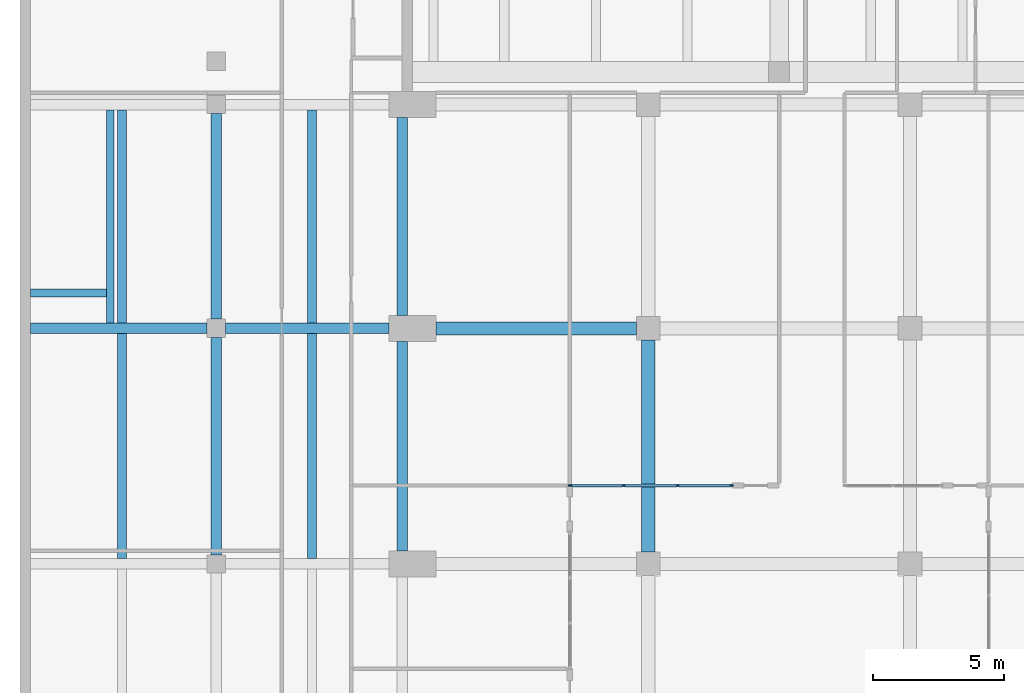
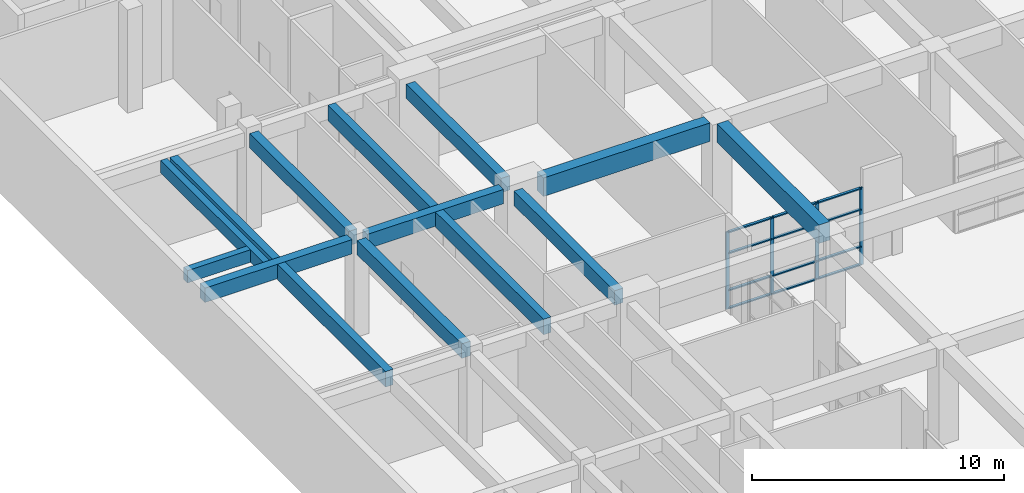
# One storey, part 10 of 29: 16 members, 14 beams, 1 element without a shape of its own.
"""IFC4 building model written with IfcOpenShell, lengths in metres."""

from ifc_helpers import new_model, si_unit, direction, frame, origin, origin_2d, place, context, subcontext, project, spatial, rectangle, extrude, material, material_profile, profile_set, type_object, element, aggregate, save


model = new_model("IFC4")

# Units and contexts
model_context = context("Model", 3, precision=1e-05, world=origin(), true_north=direction((0.0, 1.0)))
body_context = subcontext(model_context, "Body", "Model", "MODEL_VIEW")
ifc_project = project(units=[si_unit("LENGTHUNIT", "METRE"), si_unit("AREAUNIT", "SQUARE_METRE"), si_unit("VOLUMEUNIT", "CUBIC_METRE"), si_unit("PLANEANGLEUNIT", "RADIAN"), si_unit("MASSUNIT", "GRAM", prefix="KILO")], contexts=[model_context])

# Site, building, storey
site_placement = place(None, origin())
site = spatial("IfcSite", under=ifc_project, at=site_placement, CompositionType="ELEMENT")
building_placement = place(site_placement, origin())
building = spatial("IfcBuilding", under=site, at=building_placement, Name="Elmora Arch Market Hall", CompositionType="ELEMENT")
storey_placement = place(building_placement, frame((0.0, 0.0, -5.0)))
storey = spatial("IfcBuildingStorey", under=building, at=storey_placement, Name="LG", CompositionType="ELEMENT", Elevation=-5.0)

# Beams
ifc_material_1 = material(Name="Concrete C32/40", Category="concrete")
ifc_material_profile_1 = material_profile(ifc_material_1, rectangle(XDim=0.5, YDim=0.89990234375, at=origin_2d()), Name="Basement girder 500x900")
ifc_profile_set_1 = profile_set([ifc_material_profile_1], Name="Concrete C32/40")
beam_type_1 = type_object("IfcBeamType", Name="Basement girder 500x900", PredefinedType="BEAM", material=ifc_profile_set_1)
beam_1_placement = place(storey_placement, frame((15.89990234375, 90.0, 4.199951171875), z_axis=(1.0, 0.0, 0.0), x_axis=(0.0, 1.0, 0.0)))
element("IfcBeam", 1, at=beam_1_placement, inside=storey, type_object=beam_type_1, Name="Basement girder HR8 LG.1", PredefinedType="BEAM", context=body_context, shape_type="SweptSolid", body=[
    extrude(rectangle(XDim=0.5, YDim=0.89990234375, at=origin_2d()), origin(), (0.0, 0.0, 1.0), 7.650146484375),
])
beam_2_placement = place(storey_placement, frame((24.0, 81.449951171875, 4.199951171875), z_axis=(0.0, 1.0, 0.0), x_axis=(-1.0, 0.0, 0.0)))
element("IfcBeam", 2, at=beam_2_placement, inside=storey, type_object=beam_type_1, Name="Basement girder HC1 LG.7", PredefinedType="BEAM", context=body_context, shape_type="SweptSolid", body=[
    extrude(rectangle(XDim=0.5, YDim=0.89990234375, at=origin_2d()), origin(), (0.0, 0.0, 1.0), 8.10009765625),
])

# Curtain wall, members
ifc_material_2 = material(Name="Aluminium", Category="aluminium")
curtain_wall_type = type_object("IfcCurtainWallType", Name="Lower ground shopfront curtain wall", PredefinedType="NOTDEFINED", material=ifc_material_2)
curtain_wall_placement = place(storey_placement, origin())
curtain_wall = element("IfcCurtainWall", 3, at=curtain_wall_placement, inside=storey, type_object=curtain_wall_type, Name="Lower ground shopfront N1", PredefinedType="NOTDEFINED")
ifc_material_3 = material(Name="Aluminium", Category="aluminium")
ifc_material_profile_2 = material_profile(ifc_material_3, rectangle(XDim=0.06005859375, YDim=0.159912109375, at=origin_2d()), Name="AL 60x160")
ifc_profile_set_2 = profile_set([ifc_material_profile_2], Name="Aluminium")
member_type_1 = type_object("IfcMemberType", Name="Mullion 60x160", PredefinedType="MULLION", material=ifc_profile_set_2)
member_1_placement = place(storey_placement, frame((21.030029296875, 84.0, 0.0), z_axis=(0.0, 0.0, 1.0), x_axis=(0.0, 1.0, 0.0)))
member_1 = element("IfcMember", 4, at=member_1_placement, type_object=member_type_1, Name="CW6 mullion 1", PredefinedType="MULLION", context=body_context, shape_type="SweptSolid", body=[
    extrude(rectangle(XDim=0.06005859375, YDim=0.159912109375, at=origin_2d()), origin(), (0.0, 0.0, 1.0), 3.75),
])
member_2_placement = place(storey_placement, frame((23.066650390625, 84.0, 0.0), z_axis=(0.0, 0.0, 1.0), x_axis=(0.0, 1.0, 0.0)))
member_2 = element("IfcMember", 5, at=member_2_placement, type_object=member_type_1, Name="CW6 mullion 2", PredefinedType="MULLION", context=body_context, shape_type="SweptSolid", body=[
    extrude(rectangle(XDim=0.06005859375, YDim=0.159912109375, at=origin_2d()), origin(), (0.0, 0.0, 1.0), 3.75),
])
member_3_placement = place(storey_placement, frame((25.13330078125, 84.0, 0.0), z_axis=(0.0, 0.0, 1.0), x_axis=(0.0, 1.0, 0.0)))
member_3 = element("IfcMember", 6, at=member_3_placement, type_object=member_type_1, Name="CW6 mullion 3", PredefinedType="MULLION", context=body_context, shape_type="SweptSolid", body=[
    extrude(rectangle(XDim=0.06005859375, YDim=0.159912109375, at=origin_2d()), origin(), (0.0, 0.0, 1.0), 3.75),
])
member_4_placement = place(storey_placement, frame((27.169921875, 84.0, 0.0), z_axis=(0.0, 0.0, 1.0), x_axis=(0.0, 1.0, 0.0)))
member_4 = element("IfcMember", 7, at=member_4_placement, type_object=member_type_1, Name="CW6 mullion 4", PredefinedType="MULLION", context=body_context, shape_type="SweptSolid", body=[
    extrude(rectangle(XDim=0.06005859375, YDim=0.159912109375, at=origin_2d()), origin(), (0.0, 0.0, 1.0), 3.75),
])
ifc_material_4 = material(Name="Aluminium", Category="aluminium")
ifc_material_profile_3 = material_profile(ifc_material_4, rectangle(XDim=0.1201171875, YDim=0.06005859375, at=origin_2d()), Name="AL 120x60")
ifc_profile_set_3 = profile_set([ifc_material_profile_3], Name="Aluminium")
member_type_2 = type_object("IfcMemberType", Name="Transom 120x60", PredefinedType="USERDEFINED", material=ifc_profile_set_3)
member_5_placement = place(storey_placement, frame((21.06005859375, 84.0, 0.030029296875), z_axis=(1.0, 0.0, 0.0), x_axis=(0.0, 1.0, 0.0)))
member_5 = element("IfcMember", 8, at=member_5_placement, type_object=member_type_2, Name="CW6 transom 1.1", ObjectType="TRANSOM", PredefinedType="USERDEFINED", context=body_context, shape_type="SweptSolid", body=[
    extrude(rectangle(XDim=0.1201171875, YDim=0.06005859375, at=origin_2d()), origin(), (0.0, 0.0, 1.0), 1.9765625),
])
member_6_placement = place(storey_placement, frame((21.06005859375, 84.0, 0.89990234375), z_axis=(1.0, 0.0, 0.0), x_axis=(0.0, 1.0, 0.0)))
member_6 = element("IfcMember", 9, at=member_6_placement, type_object=member_type_2, Name="CW6 transom 1.2", ObjectType="TRANSOM", PredefinedType="USERDEFINED", context=body_context, shape_type="SweptSolid", body=[
    extrude(rectangle(XDim=0.1201171875, YDim=0.06005859375, at=origin_2d()), origin(), (0.0, 0.0, 1.0), 1.9765625),
])
member_7_placement = place(storey_placement, frame((21.06005859375, 84.0, 2.699951171875), z_axis=(1.0, 0.0, 0.0), x_axis=(0.0, 1.0, 0.0)))
member_7 = element("IfcMember", 10, at=member_7_placement, type_object=member_type_2, Name="CW6 transom 1.3", ObjectType="TRANSOM", PredefinedType="USERDEFINED", context=body_context, shape_type="SweptSolid", body=[
    extrude(rectangle(XDim=0.1201171875, YDim=0.06005859375, at=origin_2d()), origin(), (0.0, 0.0, 1.0), 1.9765625),
])
member_8_placement = place(storey_placement, frame((21.06005859375, 84.0, 3.719970703125), z_axis=(1.0, 0.0, 0.0), x_axis=(0.0, 1.0, 0.0)))
member_8 = element("IfcMember", 11, at=member_8_placement, type_object=member_type_2, Name="CW6 transom 1.4", ObjectType="TRANSOM", PredefinedType="USERDEFINED", context=body_context, shape_type="SweptSolid", body=[
    extrude(rectangle(XDim=0.1201171875, YDim=0.06005859375, at=origin_2d()), origin(), (0.0, 0.0, 1.0), 1.9765625),
])
member_9_placement = place(storey_placement, frame((23.0966796875, 84.0, 0.030029296875), z_axis=(1.0, 0.0, 0.0), x_axis=(0.0, 1.0, 0.0)))
member_9 = element("IfcMember", 12, at=member_9_placement, type_object=member_type_2, Name="CW6 transom 2.1", ObjectType="TRANSOM", PredefinedType="USERDEFINED", context=body_context, shape_type="SweptSolid", body=[
    extrude(rectangle(XDim=0.1201171875, YDim=0.06005859375, at=origin_2d()), origin(), (0.0, 0.0, 1.0), 2.006591796875),
])
member_10_placement = place(storey_placement, frame((23.0966796875, 84.0, 0.89990234375), z_axis=(1.0, 0.0, 0.0), x_axis=(0.0, 1.0, 0.0)))
member_10 = element("IfcMember", 13, at=member_10_placement, type_object=member_type_2, Name="CW6 transom 2.2", ObjectType="TRANSOM", PredefinedType="USERDEFINED", context=body_context, shape_type="SweptSolid", body=[
    extrude(rectangle(XDim=0.1201171875, YDim=0.06005859375, at=origin_2d()), origin(), (0.0, 0.0, 1.0), 2.006591796875),
])
member_11_placement = place(storey_placement, frame((23.0966796875, 84.0, 2.699951171875), z_axis=(1.0, 0.0, 0.0), x_axis=(0.0, 1.0, 0.0)))
member_11 = element("IfcMember", 14, at=member_11_placement, type_object=member_type_2, Name="CW6 transom 2.3", ObjectType="TRANSOM", PredefinedType="USERDEFINED", context=body_context, shape_type="SweptSolid", body=[
    extrude(rectangle(XDim=0.1201171875, YDim=0.06005859375, at=origin_2d()), origin(), (0.0, 0.0, 1.0), 2.006591796875),
])
member_12_placement = place(storey_placement, frame((23.0966796875, 84.0, 3.719970703125), z_axis=(1.0, 0.0, 0.0), x_axis=(0.0, 1.0, 0.0)))
member_12 = element("IfcMember", 15, at=member_12_placement, type_object=member_type_2, Name="CW6 transom 2.4", ObjectType="TRANSOM", PredefinedType="USERDEFINED", context=body_context, shape_type="SweptSolid", body=[
    extrude(rectangle(XDim=0.1201171875, YDim=0.06005859375, at=origin_2d()), origin(), (0.0, 0.0, 1.0), 2.006591796875),
])
member_13_placement = place(storey_placement, frame((25.163330078125, 84.0, 0.030029296875), z_axis=(1.0, 0.0, 0.0), x_axis=(0.0, 1.0, 0.0)))
member_13 = element("IfcMember", 16, at=member_13_placement, type_object=member_type_2, Name="CW6 transom 3.1", ObjectType="TRANSOM", PredefinedType="USERDEFINED", context=body_context, shape_type="SweptSolid", body=[
    extrude(rectangle(XDim=0.1201171875, YDim=0.06005859375, at=origin_2d()), origin(), (0.0, 0.0, 1.0), 1.9765625),
])
member_14_placement = place(storey_placement, frame((25.163330078125, 84.0, 0.89990234375), z_axis=(1.0, 0.0, 0.0), x_axis=(0.0, 1.0, 0.0)))
member_14 = element("IfcMember", 17, at=member_14_placement, type_object=member_type_2, Name="CW6 transom 3.2", ObjectType="TRANSOM", PredefinedType="USERDEFINED", context=body_context, shape_type="SweptSolid", body=[
    extrude(rectangle(XDim=0.1201171875, YDim=0.06005859375, at=origin_2d()), origin(), (0.0, 0.0, 1.0), 1.9765625),
])
member_15_placement = place(storey_placement, frame((25.163330078125, 84.0, 2.699951171875), z_axis=(1.0, 0.0, 0.0), x_axis=(0.0, 1.0, 0.0)))
member_15 = element("IfcMember", 18, at=member_15_placement, type_object=member_type_2, Name="CW6 transom 3.3", ObjectType="TRANSOM", PredefinedType="USERDEFINED", context=body_context, shape_type="SweptSolid", body=[
    extrude(rectangle(XDim=0.1201171875, YDim=0.06005859375, at=origin_2d()), origin(), (0.0, 0.0, 1.0), 1.9765625),
])
member_16_placement = place(storey_placement, frame((25.163330078125, 84.0, 3.719970703125), z_axis=(1.0, 0.0, 0.0), x_axis=(0.0, 1.0, 0.0)))
member_16 = element("IfcMember", 19, at=member_16_placement, type_object=member_type_2, Name="CW6 transom 3.4", ObjectType="TRANSOM", PredefinedType="USERDEFINED", context=body_context, shape_type="SweptSolid", body=[
    extrude(rectangle(XDim=0.1201171875, YDim=0.06005859375, at=origin_2d()), origin(), (0.0, 0.0, 1.0), 1.9765625),
])
aggregate(curtain_wall, [member_1, member_2, member_3, member_4, member_5, member_6, member_7, member_8, member_9, member_10, member_11, member_12, member_13, member_14, member_15, member_16])

# Beams
ifc_material_5 = material(Name="Concrete C32/40", Category="concrete")
ifc_material_profile_4 = material_profile(ifc_material_5, rectangle(XDim=0.300048828125, YDim=0.60009765625, at=origin_2d()), Name="Wall carrier beam 300x600")
ifc_profile_set_4 = profile_set([ifc_material_profile_4], Name="Concrete C32/40")
beam_type_2 = type_object("IfcBeamType", Name="Wall carrier beam 300x600", PredefinedType="BEAM", material=ifc_profile_set_4)
beam_3_placement = place(storey_placement, frame((3.449951171875, 90.199951171875, 4.39990234375), z_axis=(0.0, 1.0, 0.0), x_axis=(-1.0, 0.0, 0.0)))
element("IfcBeam", 20, at=beam_3_placement, inside=storey, type_object=beam_type_2, Name="Wall carrier beam WC-ST-WN-E-L00 LG.1", PredefinedType="BEAM", context=body_context, shape_type="SweptSolid", body=[
    extrude(rectangle(XDim=0.300048828125, YDim=0.60009765625, at=origin_2d()), origin(), (0.0, 0.0, 1.0), 8.150146484375),
])
beam_4_placement = place(storey_placement, frame((0.39990234375, 91.35009765625, 4.39990234375), z_axis=(1.0, 0.0, 0.0), x_axis=(0.0, 1.0, 0.0)))
element("IfcBeam", 21, at=beam_4_placement, inside=storey, type_object=beam_type_2, Name="Wall carrier beam WC-ST-WN-S-L00 LG.1", PredefinedType="BEAM", context=body_context, shape_type="SweptSolid", body=[
    extrude(rectangle(XDim=0.300048828125, YDim=0.60009765625, at=origin_2d()), origin(), (0.0, 0.0, 1.0), 2.900146484375),
])
ifc_material_6 = material(Name="Concrete C32/40", Category="concrete")
ifc_material_profile_5 = material_profile(ifc_material_6, rectangle(XDim=0.39990234375, YDim=0.699951171875, at=origin_2d()), Name="Wing beam 400x700")
ifc_profile_set_5 = profile_set([ifc_material_profile_5], Name="Concrete C32/40")
beam_type_3 = type_object("IfcBeamType", Name="Wing beam 400x700", PredefinedType="BEAM", material=ifc_profile_set_5)
beam_5_placement = place(storey_placement, frame((0.39990234375, 90.0, 4.35009765625), z_axis=(1.0, 0.0, 0.0), x_axis=(0.0, 1.0, 0.0)))
element("IfcBeam", 22, at=beam_5_placement, inside=storey, type_object=beam_type_3, Name="Wing beam WR8 LG.1", PredefinedType="BEAM", context=body_context, shape_type="SweptSolid", body=[
    extrude(rectangle(XDim=0.39990234375, YDim=0.699951171875, at=origin_2d()), origin(), (0.0, 0.0, 1.0), 6.75),
])
beam_6_placement = place(storey_placement, frame((7.85009765625, 90.0, 4.35009765625), z_axis=(1.0, 0.0, 0.0), x_axis=(0.0, 1.0, 0.0)))
element("IfcBeam", 23, at=beam_6_placement, inside=storey, type_object=beam_type_3, Name="Wing beam WR8 LG.2", PredefinedType="BEAM", context=body_context, shape_type="SweptSolid", body=[
    extrude(rectangle(XDim=0.39990234375, YDim=0.699951171875, at=origin_2d()), origin(), (0.0, 0.0, 1.0), 6.25),
])
beam_7_placement = place(storey_placement, frame((7.5, 81.35009765625, 4.35009765625), z_axis=(0.0, 1.0, 0.0), x_axis=(-1.0, 0.0, 0.0)))
element("IfcBeam", 24, at=beam_7_placement, inside=storey, type_object=beam_type_3, Name="Wing beam WG LG.7", PredefinedType="BEAM", context=body_context, shape_type="SweptSolid", body=[
    extrude(rectangle(XDim=0.39990234375, YDim=0.699951171875, at=origin_2d()), origin(), (0.0, 0.0, 1.0), 8.2998046875),
])
beam_8_placement = place(storey_placement, frame((7.5, 90.35009765625, 4.35009765625), z_axis=(0.0, 1.0, 0.0), x_axis=(-1.0, 0.0, 0.0)))
element("IfcBeam", 25, at=beam_8_placement, inside=storey, type_object=beam_type_3, Name="Wing beam WG LG.8", PredefinedType="BEAM", context=body_context, shape_type="SweptSolid", body=[
    extrude(rectangle(XDim=0.39990234375, YDim=0.699951171875, at=origin_2d()), origin(), (0.0, 0.0, 1.0), 7.849853515625),
])
beam_9_placement = place(storey_placement, frame((14.60009765625, 81.5, 4.35009765625), z_axis=(0.0, 1.0, 0.0), x_axis=(-1.0, 0.0, 0.0)))
element("IfcBeam", 26, at=beam_9_placement, inside=storey, type_object=beam_type_3, Name="Wing beam WEB LG.7", PredefinedType="BEAM", context=body_context, shape_type="SweptSolid", body=[
    extrude(rectangle(XDim=0.39990234375, YDim=0.699951171875, at=origin_2d()), origin(), (0.0, 0.0, 1.0), 8.0),
])
beam_10_placement = place(storey_placement, frame((14.60009765625, 90.5, 4.35009765625), z_axis=(0.0, 1.0, 0.0), x_axis=(-1.0, 0.0, 0.0)))
element("IfcBeam", 27, at=beam_10_placement, inside=storey, type_object=beam_type_3, Name="Wing beam WEB LG.8", PredefinedType="BEAM", context=body_context, shape_type="SweptSolid", body=[
    extrude(rectangle(XDim=0.39990234375, YDim=0.699951171875, at=origin_2d()), origin(), (0.0, 0.0, 1.0), 7.550048828125),
])
ifc_material_7 = material(Name="Concrete C32/40", Category="concrete")
ifc_material_profile_6 = material_profile(ifc_material_7, rectangle(XDim=0.35009765625, YDim=0.75, at=origin_2d()), Name="Wing joist 350x750")
ifc_profile_set_6 = profile_set([ifc_material_profile_6], Name="Concrete C32/40")
beam_type_4 = type_object("IfcBeamType", Name="Wing joist 350x750", PredefinedType="JOIST", material=ifc_profile_set_6)
beam_11_placement = place(storey_placement, frame((3.89990234375, 81.199951171875, 4.324951171875), z_axis=(0.0, 1.0, 0.0), x_axis=(-1.0, 0.0, 0.0)))
element("IfcBeam", 28, at=beam_11_placement, inside=storey, type_object=beam_type_4, Name="Wing joist WJ1 LG.7", PredefinedType="JOIST", context=body_context, shape_type="SweptSolid", body=[
    extrude(rectangle(XDim=0.35009765625, YDim=0.75, at=origin_2d()), origin(), (0.0, 0.0, 1.0), 8.60009765625),
])
beam_12_placement = place(storey_placement, frame((3.89990234375, 90.199951171875, 4.324951171875), z_axis=(0.0, 1.0, 0.0), x_axis=(-1.0, 0.0, 0.0)))
element("IfcBeam", 29, at=beam_12_placement, inside=storey, type_object=beam_type_4, Name="Wing joist WJ1 LG.8", PredefinedType="JOIST", context=body_context, shape_type="SweptSolid", body=[
    extrude(rectangle(XDim=0.35009765625, YDim=0.75, at=origin_2d()), origin(), (0.0, 0.0, 1.0), 8.150146484375),
])
beam_13_placement = place(storey_placement, frame((11.14990234375, 81.199951171875, 4.324951171875), z_axis=(0.0, 1.0, 0.0), x_axis=(-1.0, 0.0, 0.0)))
element("IfcBeam", 30, at=beam_13_placement, inside=storey, type_object=beam_type_4, Name="Wing joist WJ2 LG.7", PredefinedType="JOIST", context=body_context, shape_type="SweptSolid", body=[
    extrude(rectangle(XDim=0.35009765625, YDim=0.75, at=origin_2d()), origin(), (0.0, 0.0, 1.0), 8.60009765625),
])
beam_14_placement = place(storey_placement, frame((11.14990234375, 90.199951171875, 4.324951171875), z_axis=(0.0, 1.0, 0.0), x_axis=(-1.0, 0.0, 0.0)))
element("IfcBeam", 31, at=beam_14_placement, inside=storey, type_object=beam_type_4, Name="Wing joist WJ2 LG.8", PredefinedType="JOIST", context=body_context, shape_type="SweptSolid", body=[
    extrude(rectangle(XDim=0.35009765625, YDim=0.75, at=origin_2d()), origin(), (0.0, 0.0, 1.0), 8.150146484375),
])

save(model, "model.ifc")
